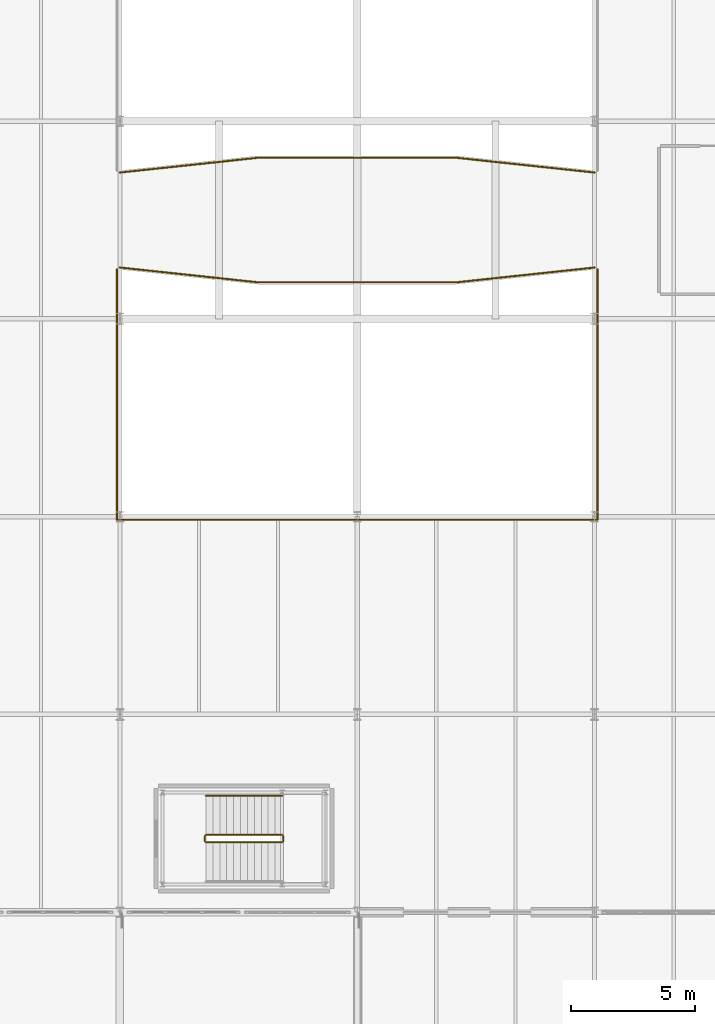
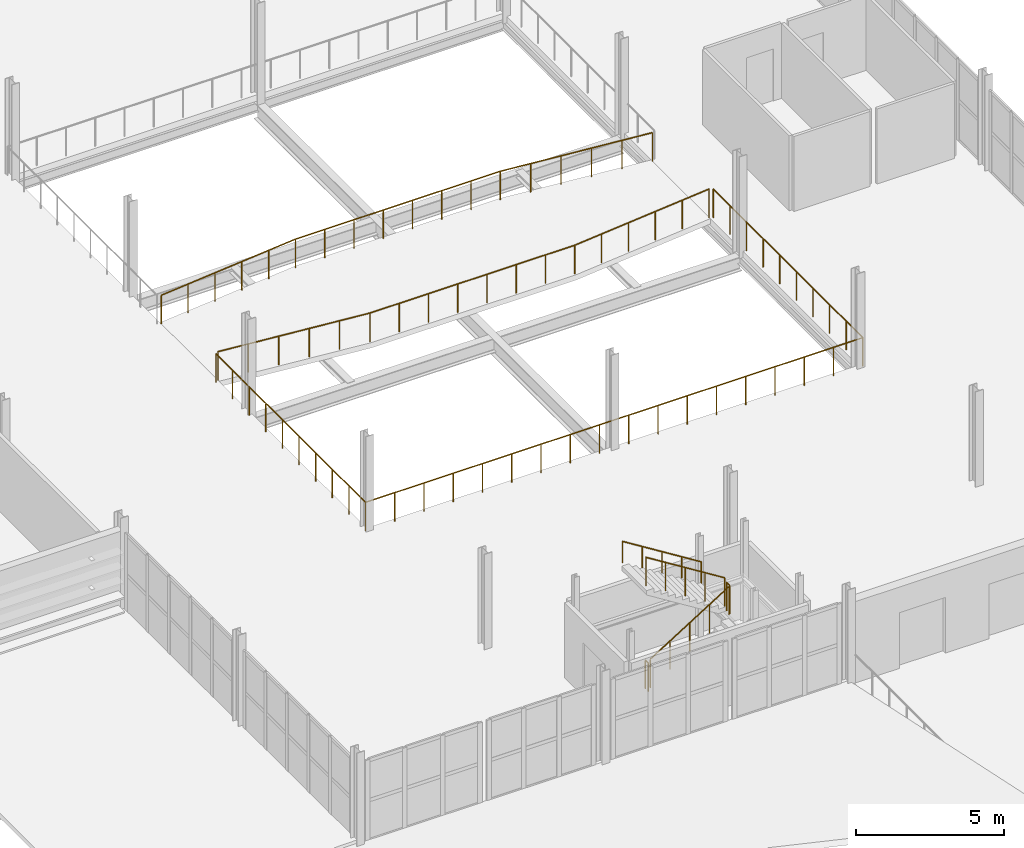
# One storey, part 81 of 85: 10 railings.
"""IFC4 building model written with IfcOpenShell, lengths in metres."""

from ifc_helpers import new_model, si_unit, direction, frame, origin, origin_2d, place, context, subcontext, project, spatial, circle, extrude, material, type_object, element, save


model = new_model("IFC4")

# Units and contexts
model_context = context("Model", 3, precision=1e-05, world=origin(), true_north=direction((0.0, 1.0)))
body_context = subcontext(model_context, "Body", "Model", "MODEL_VIEW")
ifc_project = project(units=[si_unit("LENGTHUNIT", "METRE"), si_unit("AREAUNIT", "SQUARE_METRE"), si_unit("VOLUMEUNIT", "CUBIC_METRE"), si_unit("PLANEANGLEUNIT", "RADIAN"), si_unit("MASSUNIT", "GRAM", prefix="KILO")], contexts=[model_context])

# Site, building, storey
site_placement = place(None, origin())
site = spatial("IfcSite", under=ifc_project, at=site_placement, CompositionType="ELEMENT")
building_placement = place(site_placement, origin())
building = spatial("IfcBuilding", under=site, at=building_placement, Name="Alderhovde Museum", CompositionType="ELEMENT")
storey_placement = place(building_placement, frame((0.0, 0.0, 8.699951171875)))
storey = spatial("IfcBuildingStorey", under=building, at=storey_placement, Name="L02", CompositionType="ELEMENT", Elevation=8.699951171875)

# Railings
ifc_material_1 = material(Name="Painted Steel S355 Guardrail", Category="steel")
railing_type_1 = type_object("IfcRailingType", Name="RL-GUARD-1200", PredefinedType="GUARDRAIL", material=ifc_material_1)
railing_1_placement = place(storey_placement, frame((89.8798828125, 34.830078125, 0.175048828125)))
element("IfcRailing", 1, at=railing_1_placement, inside=storey, type_object=railing_type_1, Name="L02 ST3 stair guard 1", PredefinedType="GUARDRAIL", context=body_context, shape_type="SweptSolid", body=[
    extrude(circle(Radius=0.02392578125, at=origin_2d()), frame((0.0, 0.0, 1.17578125), z_axis=(0.847998304005, 0.0, 0.529998940003), x_axis=(0.0, 1.0, 0.0)), (0.0, 0.0, 1.0), 3.632080078125),
    extrude(circle(Radius=0.02099609375, at=origin_2d()), origin(), (0.0, 0.0, 1.0), 1.15185546875),
    extrude(circle(Radius=0.02099609375, at=origin_2d()), frame((0.77001953125, 0.0, 0.481201171875)), (0.0, 0.0, 1.0), 1.15185546875),
    extrude(circle(Radius=0.02099609375, at=origin_2d()), frame((1.5400390625, 0.0, 0.96240234375)), (0.0, 0.0, 1.0), 1.15185546875),
    extrude(circle(Radius=0.02099609375, at=origin_2d()), frame((2.31005859375, 0.0, 1.44384765625)), (0.0, 0.0, 1.0), 1.15185546875),
    extrude(circle(Radius=0.02099609375, at=origin_2d()), frame((3.080078125, 0.0, 1.925048828125)), (0.0, 0.0, 1.0), 1.15185546875),
])
railing_2_placement = place(storey_placement, frame((93.010009765625, 34.8798828125, 2.10009765625)))
element("IfcRailing", 2, at=railing_2_placement, inside=storey, type_object=railing_type_1, Name="L02 ST3 stair guard 2", PredefinedType="GUARDRAIL", context=body_context, shape_type="SweptSolid", body=[
    extrude(circle(Radius=0.02392578125, at=origin_2d()), frame((0.0, 0.0, 1.17578125), z_axis=(0.0, 1.0, 0.0), x_axis=(-1.0, 0.0, 0.0)), (0.0, 0.0, 1.0), 0.2001953125),
    extrude(circle(Radius=0.02099609375, at=origin_2d()), origin(), (0.0, 0.0, 1.0), 1.15185546875),
    extrude(circle(Radius=0.02099609375, at=origin_2d()), frame((0.0, 0.2001953125, 0.0)), (0.0, 0.0, 1.0), 1.15185546875),
])
railing_3_placement = place(storey_placement, frame((92.9599609375, 35.1298828125, 2.275146484375)))
element("IfcRailing", 3, at=railing_3_placement, inside=storey, type_object=railing_type_1, Name="L02 ST3 stair guard 3", PredefinedType="GUARDRAIL", context=body_context, shape_type="SweptSolid", body=[
    extrude(circle(Radius=0.02392578125, at=origin_2d()), frame((0.0, 0.0, 1.17578125), z_axis=(-0.848028513186, 0.0, 0.529950602248), x_axis=(0.0, -1.0, 0.0)), (0.0, 0.0, 1.0), 3.632080078125),
    extrude(circle(Radius=0.02099609375, at=origin_2d()), origin(), (0.0, 0.0, 1.0), 1.15185546875),
    extrude(circle(Radius=0.02099609375, at=origin_2d()), frame((-0.77001953125, 0.0, 0.481201171875)), (0.0, 0.0, 1.0), 1.15185546875),
    extrude(circle(Radius=0.02099609375, at=origin_2d()), frame((-1.5400390625, 0.0, 0.96240234375)), (0.0, 0.0, 1.0), 1.15185546875),
    extrude(circle(Radius=0.02099609375, at=origin_2d()), frame((-2.31005859375, 0.0, 1.443603515625)), (0.0, 0.0, 1.0), 1.15185546875),
    extrude(circle(Radius=0.02099609375, at=origin_2d()), frame((-3.080078125, 0.0, 1.9248046875)), (0.0, 0.0, 1.0), 1.15185546875),
])
railing_4_placement = place(storey_placement, frame((89.830078125, 34.8798828125, 0.0)))
element("IfcRailing", 4, at=railing_4_placement, inside=storey, type_object=railing_type_1, Name="L02 ST3 stair guard 4", PredefinedType="GUARDRAIL", context=body_context, shape_type="SweptSolid", body=[
    extrude(circle(Radius=0.02392578125, at=origin_2d()), frame((0.0, 0.0, 1.17578125), z_axis=(0.0, 1.0, 0.0), x_axis=(-1.0, 0.0, 0.0)), (0.0, 0.0, 1.0), 0.2001953125),
    extrude(circle(Radius=0.02099609375, at=origin_2d()), origin(), (0.0, 0.0, 1.0), 1.15185546875),
    extrude(circle(Radius=0.02099609375, at=origin_2d()), frame((0.0, 0.2001953125, 0.0)), (0.0, 0.0, 1.0), 1.15185546875),
])
railing_5_placement = place(storey_placement, frame((86.280029296875, 47.8798828125, 0.0)))
element("IfcRailing", 5, at=railing_5_placement, inside=storey, type_object=railing_type_1, Name="L02 Conservatory Void South Guardrail", PredefinedType="GUARDRAIL", context=body_context, shape_type="SweptSolid", body=[
    extrude(circle(Radius=0.02392578125, at=origin_2d()), frame((0.0, 0.0, 1.17578125), z_axis=(1.0, 0.0, 0.0), x_axis=(0.0, 1.0, 0.0)), (0.0, 0.0, 1.0), 19.43994140625),
    extrude(circle(Radius=0.02099609375, at=origin_2d()), origin(), (0.0, 0.0, 1.0), 1.15185546875),
    extrude(circle(Radius=0.02099609375, at=origin_2d()), frame((1.1435546875, 0.0, 0.0)), (0.0, 0.0, 1.0), 1.15185546875),
    extrude(circle(Radius=0.02099609375, at=origin_2d()), frame((2.287109375, 0.0, 0.0)), (0.0, 0.0, 1.0), 1.15185546875),
    extrude(circle(Radius=0.02099609375, at=origin_2d()), frame((3.4306640625, 0.0, 0.0)), (0.0, 0.0, 1.0), 1.15185546875),
    extrude(circle(Radius=0.02099609375, at=origin_2d()), frame((4.57421875, 0.0, 0.0)), (0.0, 0.0, 1.0), 1.15185546875),
    extrude(circle(Radius=0.02099609375, at=origin_2d()), frame((5.717529296875, 0.0, 0.0)), (0.0, 0.0, 1.0), 1.15185546875),
    extrude(circle(Radius=0.02099609375, at=origin_2d()), frame((6.861083984375, 0.0, 0.0)), (0.0, 0.0, 1.0), 1.15185546875),
    extrude(circle(Radius=0.02099609375, at=origin_2d()), frame((8.004638671875, 0.0, 0.0)), (0.0, 0.0, 1.0), 1.15185546875),
    extrude(circle(Radius=0.02099609375, at=origin_2d()), frame((9.148193359375, 0.0, 0.0)), (0.0, 0.0, 1.0), 1.15185546875),
    extrude(circle(Radius=0.02099609375, at=origin_2d()), frame((10.291748046875, 0.0, 0.0)), (0.0, 0.0, 1.0), 1.15185546875),
    extrude(circle(Radius=0.02099609375, at=origin_2d()), frame((11.435302734375, 0.0, 0.0)), (0.0, 0.0, 1.0), 1.15185546875),
    extrude(circle(Radius=0.02099609375, at=origin_2d()), frame((12.578857421875, 0.0, 0.0)), (0.0, 0.0, 1.0), 1.15185546875),
    extrude(circle(Radius=0.02099609375, at=origin_2d()), frame((13.722412109375, 0.0, 0.0)), (0.0, 0.0, 1.0), 1.15185546875),
    extrude(circle(Radius=0.02099609375, at=origin_2d()), frame((14.86572265625, 0.0, 0.0)), (0.0, 0.0, 1.0), 1.15185546875),
    extrude(circle(Radius=0.02099609375, at=origin_2d()), frame((16.00927734375, 0.0, 0.0)), (0.0, 0.0, 1.0), 1.15185546875),
    extrude(circle(Radius=0.02099609375, at=origin_2d()), frame((17.15283203125, 0.0, 0.0)), (0.0, 0.0, 1.0), 1.15185546875),
    extrude(circle(Radius=0.02099609375, at=origin_2d()), frame((18.29638671875, 0.0, 0.0)), (0.0, 0.0, 1.0), 1.15185546875),
    extrude(circle(Radius=0.02099609375, at=origin_2d()), frame((19.43994140625, 0.0, 0.0)), (0.0, 0.0, 1.0), 1.15185546875),
])
for number, where, name in (
    (6, (86.280029296875, 47.8798828125, 0.0), "L02 Conservatory Void West Guardrail S"),
    (7, (105.719970703125, 47.8798828125, 0.0), "L02 Conservatory Void East Guardrail S"),
):
    element("IfcRailing", number, at=place(storey_placement, frame(where)), inside=storey, type_object=railing_type_1, Name=name, PredefinedType="GUARDRAIL", context=body_context, shape_type="SweptSolid", body=[
        extrude(circle(Radius=0.02392578125, at=origin_2d()), frame((0.0, 0.0, 1.17578125), z_axis=(0.0, 1.0, 0.0), x_axis=(-1.0, 0.0, 0.0)), (0.0, 0.0, 1.0), 10.1201171875),
        extrude(circle(Radius=0.02099609375, at=origin_2d()), origin(), (0.0, 0.0, 1.0), 1.15185546875),
        extrude(circle(Radius=0.02099609375, at=origin_2d()), frame((0.0, 1.12451171875, 0.0)), (0.0, 0.0, 1.0), 1.15185546875),
        extrude(circle(Radius=0.02099609375, at=origin_2d()), frame((0.0, 2.2490234375, 0.0)), (0.0, 0.0, 1.0), 1.15185546875),
        extrude(circle(Radius=0.02099609375, at=origin_2d()), frame((0.0, 3.373291015625, 0.0)), (0.0, 0.0, 1.0), 1.15185546875),
        extrude(circle(Radius=0.02099609375, at=origin_2d()), frame((0.0, 4.497802734375, 0.0)), (0.0, 0.0, 1.0), 1.15185546875),
        extrude(circle(Radius=0.02099609375, at=origin_2d()), frame((0.0, 5.622314453125, 0.0)), (0.0, 0.0, 1.0), 1.15185546875),
        extrude(circle(Radius=0.02099609375, at=origin_2d()), frame((0.0, 6.746826171875, 0.0)), (0.0, 0.0, 1.0), 1.15185546875),
        extrude(circle(Radius=0.02099609375, at=origin_2d()), frame((0.0, 7.87109375, 0.0)), (0.0, 0.0, 1.0), 1.15185546875),
        extrude(circle(Radius=0.02099609375, at=origin_2d()), frame((0.0, 8.99560546875, 0.0)), (0.0, 0.0, 1.0), 1.15185546875),
        extrude(circle(Radius=0.02099609375, at=origin_2d()), frame((0.0, 10.1201171875, 0.0)), (0.0, 0.0, 1.0), 1.15185546875),
    ])
railing_6_placement = place(storey_placement, frame((86.39990234375, 58.080078125, 0.0)))
element("IfcRailing", 8, at=railing_6_placement, inside=storey, type_object=railing_type_1, Name="L02 Conservatory Bridge South Guardrail", PredefinedType="GUARDRAIL", context=body_context, shape_type="SweptSolid", body=[
    extrude(circle(Radius=0.02392578125, at=origin_2d()), frame((0.0, 0.0, 1.17578125), z_axis=(0.994307513918, -0.10654842921, 0.0), x_axis=(0.10654842921, 0.994307513918, 0.0)), (0.0, 0.0, 1.0), 5.632080078125),
    extrude(circle(Radius=0.02392578125, at=origin_2d()), frame((5.60009765625, -0.60009765625, 1.17578125), z_axis=(1.0, 0.0, 0.0), x_axis=(0.0, 1.0, 0.0)), (0.0, 0.0, 1.0), 8.0),
    extrude(circle(Radius=0.02392578125, at=origin_2d()), frame((13.60009765625, -0.60009765625, 1.17578125), z_axis=(0.994307513918, 0.10654842921, 0.0), x_axis=(-0.10654842921, 0.994307513918, 0.0)), (0.0, 0.0, 1.0), 5.632080078125),
    extrude(circle(Radius=0.02099609375, at=origin_2d()), origin(), (0.0, 0.0, 1.0), 1.15185546875),
    extrude(circle(Radius=0.02099609375, at=origin_2d()), frame((1.1201171875, -0.1201171875, 0.0)), (0.0, 0.0, 1.0), 1.15185546875),
    extrude(circle(Radius=0.02099609375, at=origin_2d()), frame((2.239990234375, -0.239990234375, 0.0)), (0.0, 0.0, 1.0), 1.15185546875),
    extrude(circle(Radius=0.02099609375, at=origin_2d()), frame((3.360107421875, -0.360107421875, 0.0)), (0.0, 0.0, 1.0), 1.15185546875),
    extrude(circle(Radius=0.02099609375, at=origin_2d()), frame((4.47998046875, -0.47998046875, 0.0)), (0.0, 0.0, 1.0), 1.15185546875),
    extrude(circle(Radius=0.02099609375, at=origin_2d()), frame((5.60009765625, -0.60009765625, 0.0)), (0.0, 0.0, 1.0), 1.15185546875),
    extrude(circle(Radius=0.02099609375, at=origin_2d()), frame((6.742919921875, -0.60009765625, 0.0)), (0.0, 0.0, 1.0), 1.15185546875),
    extrude(circle(Radius=0.02099609375, at=origin_2d()), frame((7.8857421875, -0.60009765625, 0.0)), (0.0, 0.0, 1.0), 1.15185546875),
    extrude(circle(Radius=0.02099609375, at=origin_2d()), frame((9.028564453125, -0.60009765625, 0.0)), (0.0, 0.0, 1.0), 1.15185546875),
    extrude(circle(Radius=0.02099609375, at=origin_2d()), frame((10.171630859375, -0.60009765625, 0.0)), (0.0, 0.0, 1.0), 1.15185546875),
    extrude(circle(Radius=0.02099609375, at=origin_2d()), frame((11.314453125, -0.60009765625, 0.0)), (0.0, 0.0, 1.0), 1.15185546875),
    extrude(circle(Radius=0.02099609375, at=origin_2d()), frame((12.457275390625, -0.60009765625, 0.0)), (0.0, 0.0, 1.0), 1.15185546875),
    extrude(circle(Radius=0.02099609375, at=origin_2d()), frame((13.60009765625, -0.60009765625, 0.0)), (0.0, 0.0, 1.0), 1.15185546875),
    extrude(circle(Radius=0.02099609375, at=origin_2d()), frame((14.72021484375, -0.47998046875, 0.0)), (0.0, 0.0, 1.0), 1.15185546875),
    extrude(circle(Radius=0.02099609375, at=origin_2d()), frame((15.840087890625, -0.360107421875, 0.0)), (0.0, 0.0, 1.0), 1.15185546875),
    extrude(circle(Radius=0.02099609375, at=origin_2d()), frame((16.960205078125, -0.239990234375, 0.0)), (0.0, 0.0, 1.0), 1.15185546875),
    extrude(circle(Radius=0.02099609375, at=origin_2d()), frame((18.080078125, -0.1201171875, 0.0)), (0.0, 0.0, 1.0), 1.15185546875),
    extrude(circle(Radius=0.02099609375, at=origin_2d()), frame((19.2001953125, 0.0, 0.0)), (0.0, 0.0, 1.0), 1.15185546875),
])
railing_7_placement = place(storey_placement, frame((86.39990234375, 61.919921875, 0.0)))
element("IfcRailing", 9, at=railing_7_placement, inside=storey, type_object=railing_type_1, Name="L02 Conservatory Bridge North Guardrail", PredefinedType="GUARDRAIL", context=body_context, shape_type="SweptSolid", body=[
    extrude(circle(Radius=0.02392578125, at=origin_2d()), frame((0.0, 0.0, 1.17578125), z_axis=(0.994307513918, 0.10654842921, 0.0), x_axis=(-0.10654842921, 0.994307513918, 0.0)), (0.0, 0.0, 1.0), 5.632080078125),
    extrude(circle(Radius=0.02392578125, at=origin_2d()), frame((5.60009765625, 0.60009765625, 1.17578125), z_axis=(1.0, 0.0, 0.0), x_axis=(0.0, 1.0, 0.0)), (0.0, 0.0, 1.0), 8.0),
    extrude(circle(Radius=0.02392578125, at=origin_2d()), frame((13.60009765625, 0.60009765625, 1.17578125), z_axis=(0.994307513918, -0.10654842921, 0.0), x_axis=(0.10654842921, 0.994307513918, 0.0)), (0.0, 0.0, 1.0), 5.632080078125),
    extrude(circle(Radius=0.02099609375, at=origin_2d()), origin(), (0.0, 0.0, 1.0), 1.15185546875),
    extrude(circle(Radius=0.02099609375, at=origin_2d()), frame((1.1201171875, 0.1201171875, 0.0)), (0.0, 0.0, 1.0), 1.15185546875),
    extrude(circle(Radius=0.02099609375, at=origin_2d()), frame((2.239990234375, 0.239990234375, 0.0)), (0.0, 0.0, 1.0), 1.15185546875),
    extrude(circle(Radius=0.02099609375, at=origin_2d()), frame((3.360107421875, 0.360107421875, 0.0)), (0.0, 0.0, 1.0), 1.15185546875),
    extrude(circle(Radius=0.02099609375, at=origin_2d()), frame((4.47998046875, 0.47998046875, 0.0)), (0.0, 0.0, 1.0), 1.15185546875),
    extrude(circle(Radius=0.02099609375, at=origin_2d()), frame((5.60009765625, 0.60009765625, 0.0)), (0.0, 0.0, 1.0), 1.15185546875),
    extrude(circle(Radius=0.02099609375, at=origin_2d()), frame((6.742919921875, 0.60009765625, 0.0)), (0.0, 0.0, 1.0), 1.15185546875),
    extrude(circle(Radius=0.02099609375, at=origin_2d()), frame((7.8857421875, 0.60009765625, 0.0)), (0.0, 0.0, 1.0), 1.15185546875),
    extrude(circle(Radius=0.02099609375, at=origin_2d()), frame((9.028564453125, 0.60009765625, 0.0)), (0.0, 0.0, 1.0), 1.15185546875),
    extrude(circle(Radius=0.02099609375, at=origin_2d()), frame((10.171630859375, 0.60009765625, 0.0)), (0.0, 0.0, 1.0), 1.15185546875),
    extrude(circle(Radius=0.02099609375, at=origin_2d()), frame((11.314453125, 0.60009765625, 0.0)), (0.0, 0.0, 1.0), 1.15185546875),
    extrude(circle(Radius=0.02099609375, at=origin_2d()), frame((12.457275390625, 0.60009765625, 0.0)), (0.0, 0.0, 1.0), 1.15185546875),
    extrude(circle(Radius=0.02099609375, at=origin_2d()), frame((13.60009765625, 0.60009765625, 0.0)), (0.0, 0.0, 1.0), 1.15185546875),
    extrude(circle(Radius=0.02099609375, at=origin_2d()), frame((14.72021484375, 0.47998046875, 0.0)), (0.0, 0.0, 1.0), 1.15185546875),
    extrude(circle(Radius=0.02099609375, at=origin_2d()), frame((15.840087890625, 0.360107421875, 0.0)), (0.0, 0.0, 1.0), 1.15185546875),
    extrude(circle(Radius=0.02099609375, at=origin_2d()), frame((16.960205078125, 0.239990234375, 0.0)), (0.0, 0.0, 1.0), 1.15185546875),
    extrude(circle(Radius=0.02099609375, at=origin_2d()), frame((18.080078125, 0.1201171875, 0.0)), (0.0, 0.0, 1.0), 1.15185546875),
    extrude(circle(Radius=0.02099609375, at=origin_2d()), frame((19.2001953125, 0.0, 0.0)), (0.0, 0.0, 1.0), 1.15185546875),
])
ifc_material_2 = material(Name="Brushed Stainless Steel Handrail", Category="steel")
railing_type_2 = type_object("IfcRailingType", Name="RL-HANDRAIL-900", PredefinedType="HANDRAIL", material=ifc_material_2)
railing_8_placement = place(storey_placement, frame((92.9599609375, 36.7099609375, 2.275146484375)))
element("IfcRailing", 10, at=railing_8_placement, inside=storey, type_object=railing_type_2, Name="L02 ST3 stair handrail 2", PredefinedType="HANDRAIL", context=body_context, shape_type="SweptSolid", body=[
    extrude(circle(Radius=0.02392578125, at=origin_2d()), frame((0.0, 0.0, 0.8759765625), z_axis=(-0.848028513186, 0.0, 0.529950602248), x_axis=(0.0, -1.0, 0.0)), (0.0, 0.0, 1.0), 3.632080078125),
    extrude(circle(Radius=0.02099609375, at=origin_2d()), origin(), (0.0, 0.0, 1.0), 0.851806640625),
    extrude(circle(Radius=0.02099609375, at=origin_2d()), frame((-0.77001953125, 0.0, 0.481201171875)), (0.0, 0.0, 1.0), 0.851806640625),
    extrude(circle(Radius=0.02099609375, at=origin_2d()), frame((-1.5400390625, 0.0, 0.96240234375)), (0.0, 0.0, 1.0), 0.851806640625),
    extrude(circle(Radius=0.02099609375, at=origin_2d()), frame((-2.31005859375, 0.0, 1.443603515625)), (0.0, 0.0, 1.0), 0.851806640625),
    extrude(circle(Radius=0.02099609375, at=origin_2d()), frame((-3.080078125, 0.0, 1.9248046875)), (0.0, 0.0, 1.0), 0.851806640625),
])

save(model, "model.ifc")
